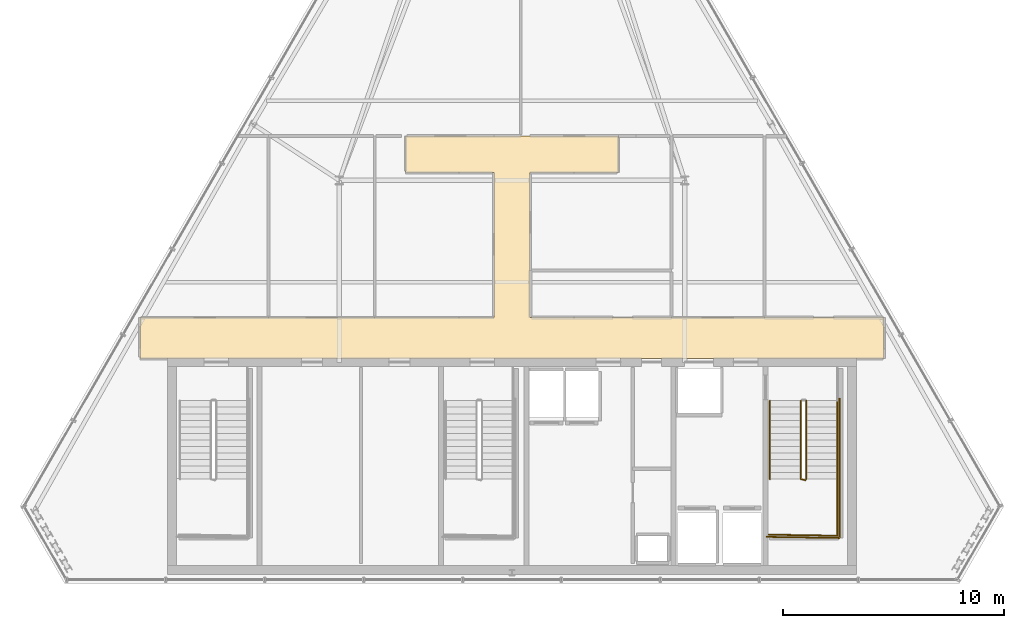
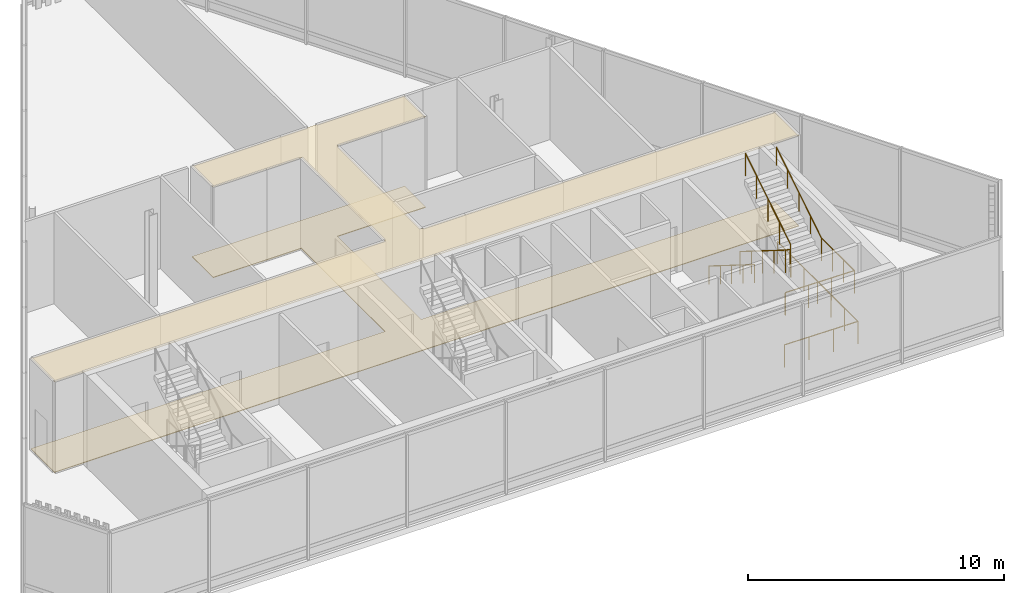
# One storey, part 24 of 25: 6 railings, 2 coverings.
"""IFC4 building model written with IfcOpenShell, lengths in metres."""

from ifc_helpers import new_model, si_unit, direction, frame, origin, origin_2d, place, context, subcontext, project, spatial, polyline, circle, outline, extrude, material, layer, layer_set, type_object, element, save


model = new_model("IFC4")

# Units and contexts
model_context = context("Model", 3, precision=1e-05, world=origin(), true_north=direction((0.0, 1.0)))
body_context = subcontext(model_context, "Body", "Model", "MODEL_VIEW")
ifc_project = project(units=[si_unit("LENGTHUNIT", "METRE"), si_unit("AREAUNIT", "SQUARE_METRE"), si_unit("VOLUMEUNIT", "CUBIC_METRE"), si_unit("PLANEANGLEUNIT", "RADIAN"), si_unit("MASSUNIT", "GRAM", prefix="KILO")], contexts=[model_context])

# Site, building, storey
site_placement = place(None, origin())
site = spatial("IfcSite", under=ifc_project, at=site_placement, CompositionType="ELEMENT")
building_placement = place(site_placement, origin())
building = spatial("IfcBuilding", under=site, at=building_placement, Name="Ndaravel Arena Tower", CompositionType="ELEMENT")
storey_placement = place(building_placement, frame((0.0, 0.0, 303.300048828125)))
storey = spatial("IfcBuildingStorey", under=building, at=storey_placement, Name="L74", CompositionType="ELEMENT", Elevation=303.300048828125)

# Coverings
ifc_material_1 = material(Name="Acoustic Ceiling Tile", Category="finish")
ifc_layer_1 = layer(ifc_material_1, 0.02490234375)
ifc_layer_set_1 = layer_set([ifc_layer_1], Name="Acoustic Ceiling Tile")
covering_type_1 = type_object("IfcCoveringType", Name="COV-CEIL-AC600", PredefinedType="CEILING", material=ifc_layer_set_1)
covering_1_placement = place(storey_placement, frame((0.0, 0.0, 4.329833984375)))
element("IfcCovering", 1, at=covering_1_placement, inside=storey, type_object=covering_type_1, Name="L74 Corridor Acoustic Ceiling", PredefinedType="CEILING", context=body_context, shape_type="SweptSolid", body=[
    extrude(outline(polyline([(58.80908203125, 17.0), (42.820068359375, 17.0), (42.820068359375, 23.550048828125), (46.800048828125, 23.550048828125), (46.800048828125, 25.199951171875), (42.820068359375, 25.199951171875), (41.179931640625, 25.199951171875), (37.199951171875, 25.199951171875), (37.199951171875, 23.550048828125), (41.179931640625, 23.550048828125), (41.179931640625, 17.0), (25.19091796875, 17.0), (25.19091796875, 15.14990234375), (58.80908203125, 15.14990234375), (58.80908203125, 17.0)])), origin(), (0.0, 0.0, 1.0), 0.025146484375),
])
ifc_material_2 = material(Name="Terrazzo", Category="stone")
ifc_layer_2 = layer(ifc_material_2, 0.030029296875)
ifc_layer_set_2 = layer_set([ifc_layer_2], Name="Terrazzo")
covering_type_2 = type_object("IfcCoveringType", Name="COV-FLOOR-TERRAZZO", PredefinedType="FLOORING", material=ifc_layer_set_2)
covering_2_placement = place(storey_placement, origin())
element("IfcCovering", 2, at=covering_2_placement, inside=storey, type_object=covering_type_2, Name="L74 Corridor Terrazzo Flooring", PredefinedType="FLOORING", context=body_context, shape_type="SweptSolid", body=[
    extrude(outline(polyline([(58.80908203125, 17.0), (42.820068359375, 17.0), (42.820068359375, 23.550048828125), (46.800048828125, 23.550048828125), (46.800048828125, 25.199951171875), (42.820068359375, 25.199951171875), (41.179931640625, 25.199951171875), (37.199951171875, 25.199951171875), (37.199951171875, 23.550048828125), (41.179931640625, 23.550048828125), (41.179931640625, 17.0), (25.19091796875, 17.0), (25.19091796875, 15.14990234375), (58.80908203125, 15.14990234375), (58.80908203125, 17.0)])), origin(), (0.0, 0.0, 1.0), 0.030029296875),
])

# Railings
ifc_material_3 = material(Name="Steel S355", Category="steel")
ifc_layer_3 = layer(ifc_material_3, 0.06005859375)
ifc_layer_set_3 = layer_set([ifc_layer_3], Name="Steel S355")
railing_type_1 = type_object("IfcRailingType", Name="RAIL-STAIR-GD1100", PredefinedType="GUARDRAIL", material=ifc_layer_set_3)
railing_1_placement = place(storey_placement, frame((55.050048828125, 13.25, 0.1845703125)))
element("IfcRailing", 3, at=railing_1_placement, inside=storey, type_object=railing_type_1, Name="L74 ST-3 stair guard 1", PredefinedType="GUARDRAIL", context=body_context, shape_type="SweptSolid", body=[
    extrude(circle(Radius=0.02392578125, at=origin_2d()), frame((0.0, 0.0, 1.076171875), z_axis=(0.0, -0.847696004112, 0.530482313194), x_axis=(1.0, 0.0, 0.0)), (0.0, 0.0, 1.0), 4.176025390625),
    extrude(circle(Radius=0.02392578125, at=origin_2d()), frame((0.0, -3.5400390625, 3.29150390625), z_axis=(0.966993988697, -0.254799187253, 0.0), x_axis=(0.254799187253, 0.966993988697, 0.0)), (0.0, 0.0, 1.0), 0.196533203125),
    extrude(circle(Radius=0.02099609375, at=origin_2d()), origin(), (0.0, 0.0, 1.0), 1.052001953125),
    extrude(circle(Radius=0.02099609375, at=origin_2d()), frame((0.0, -0.885009765625, 0.5537109375)), (0.0, 0.0, 1.0), 1.052001953125),
    extrude(circle(Radius=0.02099609375, at=origin_2d()), frame((0.0, -1.77001953125, 1.107666015625)), (0.0, 0.0, 1.0), 1.052001953125),
    extrude(circle(Radius=0.02099609375, at=origin_2d()), frame((0.0, -2.655029296875, 1.66162109375)), (0.0, 0.0, 1.0), 1.052001953125),
    extrude(circle(Radius=0.02099609375, at=origin_2d()), frame((0.0, -3.5400390625, 2.21533203125)), (0.0, 0.0, 1.0), 1.052001953125),
    extrude(circle(Radius=0.02099609375, at=origin_2d()), frame((0.18994140625, -3.590087890625, 2.21533203125)), (0.0, 0.0, 1.0), 1.052001953125),
])
railing_2_placement = place(storey_placement, frame((56.68994140625, 9.7099609375, 2.39990234375)))
element("IfcRailing", 4, at=railing_2_placement, inside=storey, type_object=railing_type_1, Name="L74 ST-3 stair guard 2", PredefinedType="GUARDRAIL", context=body_context, shape_type="SweptSolid", body=[
    extrude(circle(Radius=0.02392578125, at=origin_2d()), frame((0.0, 0.0, 1.076171875), z_axis=(0.0, -1.0, 0.0), x_axis=(1.0, 0.0, 0.0)), (0.0, 0.0, 1.0), 2.56005859375),
    extrude(circle(Radius=0.02392578125, at=origin_2d()), frame((0.0, -2.56005859375, 1.076171875), z_axis=(-0.999868840623, 0.016195726322, 0.0), x_axis=(-0.016195726322, -0.999868840623, 0.0)), (0.0, 0.0, 1.0), 3.09033203125),
    extrude(circle(Radius=0.02099609375, at=origin_2d()), origin(), (0.0, 0.0, 1.0), 1.052001953125),
    extrude(circle(Radius=0.02099609375, at=origin_2d()), frame((0.0, -0.853271484375, 0.0)), (0.0, 0.0, 1.0), 1.052001953125),
    extrude(circle(Radius=0.02099609375, at=origin_2d()), frame((0.0, -1.706787109375, 0.0)), (0.0, 0.0, 1.0), 1.052001953125),
    extrude(circle(Radius=0.02099609375, at=origin_2d()), frame((0.0, -2.56005859375, 0.0)), (0.0, 0.0, 1.0), 1.052001953125),
    extrude(circle(Radius=0.02099609375, at=origin_2d()), frame((-1.030029296875, -2.54345703125, 0.0)), (0.0, 0.0, 1.0), 1.052001953125),
    extrude(circle(Radius=0.02099609375, at=origin_2d()), frame((-2.059814453125, -2.526611328125, 0.0)), (0.0, 0.0, 1.0), 1.052001953125),
    extrude(circle(Radius=0.02099609375, at=origin_2d()), frame((-3.08984375, -2.510009765625, 0.0)), (0.0, 0.0, 1.0), 1.052001953125),
])
railing_3_placement = place(storey_placement, frame((55.2900390625, 9.7099609375, 2.58447265625)))
element("IfcRailing", 5, at=railing_3_placement, inside=storey, type_object=railing_type_1, Name="L74 ST-3 stair guard 3", PredefinedType="GUARDRAIL", context=body_context, shape_type="SweptSolid", body=[
    extrude(circle(Radius=0.02392578125, at=origin_2d()), frame((0.0, 0.0, 1.076171875), z_axis=(0.0, 0.847669714335, 0.530524321213), x_axis=(-1.0, 0.0, 0.0)), (0.0, 0.0, 1.0), 4.17626953125),
    extrude(circle(Radius=0.02099609375, at=origin_2d()), origin(), (0.0, 0.0, 1.0), 1.052001953125),
    extrude(circle(Radius=0.02099609375, at=origin_2d()), frame((0.0, 0.885009765625, 0.553955078125)), (0.0, 0.0, 1.0), 1.052001953125),
    extrude(circle(Radius=0.02099609375, at=origin_2d()), frame((0.0, 1.77001953125, 1.10791015625)), (0.0, 0.0, 1.0), 1.052001953125),
    extrude(circle(Radius=0.02099609375, at=origin_2d()), frame((0.0, 2.655029296875, 1.66162109375)), (0.0, 0.0, 1.0), 1.052001953125),
    extrude(circle(Radius=0.02099609375, at=origin_2d()), frame((0.0, 3.5400390625, 2.215576171875)), (0.0, 0.0, 1.0), 1.052001953125),
])
railing_4_placement = place(storey_placement, frame((56.7900390625, 13.35009765625, 0.0)))
element("IfcRailing", 6, at=railing_4_placement, inside=storey, type_object=railing_type_1, Name="L74 ST-3 stair guard 6", PredefinedType="GUARDRAIL", context=body_context, shape_type="SweptSolid", body=[
    extrude(circle(Radius=0.02392578125, at=origin_2d()), frame((0.0, 0.0, 1.076171875), z_axis=(0.0, -1.0, 0.0), x_axis=(1.0, 0.0, 0.0)), (0.0, 0.0, 1.0), 6.300048828125),
    extrude(circle(Radius=0.02392578125, at=origin_2d()), frame((0.0, -6.300048828125, 1.076171875), z_axis=(-0.99988431412, 0.015210469308, 0.0), x_axis=(-0.015210469308, -0.99988431412, 0.0)), (0.0, 0.0, 1.0), 3.29052734375),
    extrude(circle(Radius=0.02099609375, at=origin_2d()), origin(), (0.0, 0.0, 1.0), 1.052001953125),
    extrude(circle(Radius=0.02099609375, at=origin_2d()), frame((0.0, -1.050048828125, 0.0)), (0.0, 0.0, 1.0), 1.052001953125),
    extrude(circle(Radius=0.02099609375, at=origin_2d()), frame((0.0, -2.10009765625, 0.0)), (0.0, 0.0, 1.0), 1.052001953125),
    extrude(circle(Radius=0.02099609375, at=origin_2d()), frame((0.0, -3.14990234375, 0.0)), (0.0, 0.0, 1.0), 1.052001953125),
    extrude(circle(Radius=0.02099609375, at=origin_2d()), frame((0.0, -4.199951171875, 0.0)), (0.0, 0.0, 1.0), 1.052001953125),
    extrude(circle(Radius=0.02099609375, at=origin_2d()), frame((0.0, -5.25, 0.0)), (0.0, 0.0, 1.0), 1.052001953125),
    extrude(circle(Radius=0.02099609375, at=origin_2d()), frame((0.0, -6.300048828125, 0.0)), (0.0, 0.0, 1.0), 1.052001953125),
    extrude(circle(Radius=0.02099609375, at=origin_2d()), frame((-1.0966796875, -6.283447265625, 0.0)), (0.0, 0.0, 1.0), 1.052001953125),
    extrude(circle(Radius=0.02099609375, at=origin_2d()), frame((-2.193359375, -6.2666015625, 0.0)), (0.0, 0.0, 1.0), 1.052001953125),
    extrude(circle(Radius=0.02099609375, at=origin_2d()), frame((-3.2900390625, -6.25, 0.0)), (0.0, 0.0, 1.0), 1.052001953125),
])
ifc_material_4 = material(Name="Steel S355", Category="steel")
ifc_layer_4 = layer(ifc_material_4, 0.050048828125)
ifc_layer_set_4 = layer_set([ifc_layer_4], Name="Steel S355")
railing_type_2 = type_object("IfcRailingType", Name="RAIL-STAIR-HR920", PredefinedType="HANDRAIL", material=ifc_layer_set_4)
railing_5_placement = place(storey_placement, frame((53.64990234375, 13.25, 0.1845703125)))
element("IfcRailing", 7, at=railing_5_placement, inside=storey, type_object=railing_type_2, Name="L74 ST-3 stair handrail 1", PredefinedType="HANDRAIL", context=body_context, shape_type="SweptSolid", body=[
    extrude(circle(Radius=0.02392578125, at=origin_2d()), frame((0.0, 0.0, 0.8759765625), z_axis=(0.0, -0.847696004112, 0.530482313194), x_axis=(1.0, 0.0, 0.0)), (0.0, 0.0, 1.0), 4.176025390625),
    extrude(circle(Radius=0.02099609375, at=origin_2d()), origin(), (0.0, 0.0, 1.0), 0.851806640625),
    extrude(circle(Radius=0.02099609375, at=origin_2d()), frame((0.0, -0.885009765625, 0.5537109375)), (0.0, 0.0, 1.0), 0.851806640625),
    extrude(circle(Radius=0.02099609375, at=origin_2d()), frame((0.0, -1.77001953125, 1.107666015625)), (0.0, 0.0, 1.0), 0.851806640625),
    extrude(circle(Radius=0.02099609375, at=origin_2d()), frame((0.0, -2.655029296875, 1.66162109375)), (0.0, 0.0, 1.0), 0.851806640625),
    extrude(circle(Radius=0.02099609375, at=origin_2d()), frame((0.0, -3.5400390625, 2.21533203125)), (0.0, 0.0, 1.0), 0.851806640625),
])
railing_6_placement = place(storey_placement, frame((56.68994140625, 9.7099609375, 2.58447265625)))
element("IfcRailing", 8, at=railing_6_placement, inside=storey, type_object=railing_type_2, Name="L74 ST-3 stair handrail 2", PredefinedType="HANDRAIL", context=body_context, shape_type="SweptSolid", body=[
    extrude(circle(Radius=0.02392578125, at=origin_2d()), frame((0.0, 0.0, 0.8759765625), z_axis=(0.0, 0.847669714335, 0.530524321213), x_axis=(-1.0, 0.0, 0.0)), (0.0, 0.0, 1.0), 4.17626953125),
    extrude(circle(Radius=0.02099609375, at=origin_2d()), origin(), (0.0, 0.0, 1.0), 0.851806640625),
    extrude(circle(Radius=0.02099609375, at=origin_2d()), frame((0.0, 0.885009765625, 0.553955078125)), (0.0, 0.0, 1.0), 0.851806640625),
    extrude(circle(Radius=0.02099609375, at=origin_2d()), frame((0.0, 1.77001953125, 1.10791015625)), (0.0, 0.0, 1.0), 0.851806640625),
    extrude(circle(Radius=0.02099609375, at=origin_2d()), frame((0.0, 2.655029296875, 1.66162109375)), (0.0, 0.0, 1.0), 0.851806640625),
    extrude(circle(Radius=0.02099609375, at=origin_2d()), frame((0.0, 3.5400390625, 2.215576171875)), (0.0, 0.0, 1.0), 0.851806640625),
])

save(model, "model.ifc")
